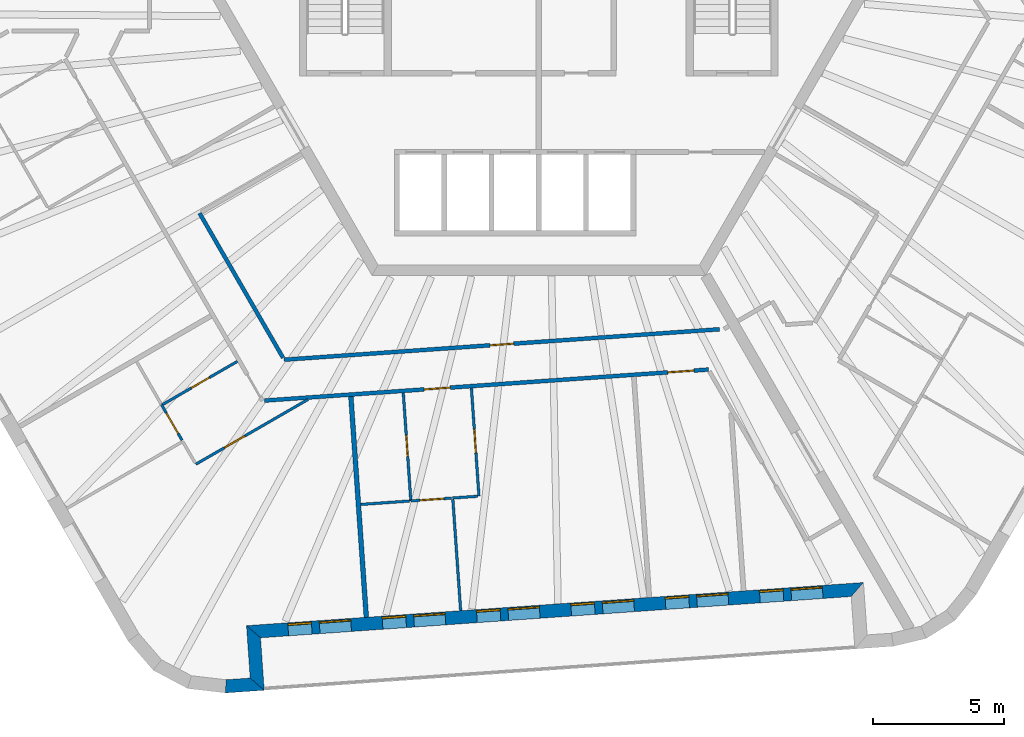
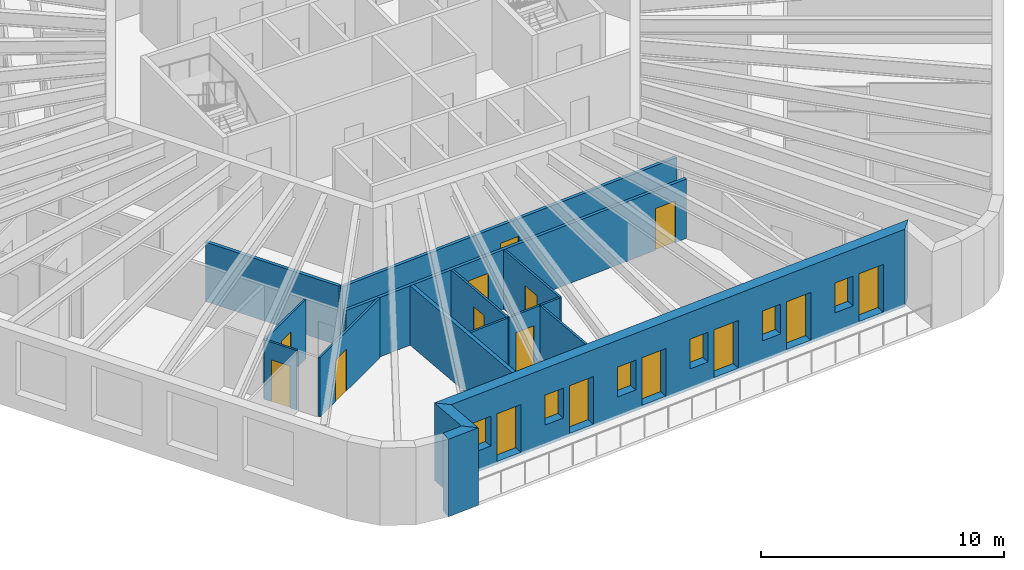
# One storey, part 3 of 12: 16 walls, 15 doors, 6 windows, 21 openings.
"""IFC4 building model written with IfcOpenShell, lengths in metres."""

from ifc_helpers import new_model, si_unit, direction, frame, frame_2d, origin, place, context, subcontext, project, spatial, polyline, rectangle, outline, extrude, material, layer, layer_set, type_object, element, fill, save


model = new_model("IFC4")

# Units and contexts
model_context = context("Model", 3, precision=1e-05, world=origin(), true_north=direction((0.0, 1.0)))
body_context = subcontext(model_context, "Body", "Model", "MODEL_VIEW")
ifc_project = project(units=[si_unit("LENGTHUNIT", "METRE"), si_unit("AREAUNIT", "SQUARE_METRE"), si_unit("VOLUMEUNIT", "CUBIC_METRE"), si_unit("PLANEANGLEUNIT", "RADIAN"), si_unit("MASSUNIT", "GRAM", prefix="KILO")], contexts=[model_context])

# Site, building, storey
site_placement = place(None, origin())
site = spatial("IfcSite", under=ifc_project, at=site_placement, CompositionType="ELEMENT")
building_placement = place(site_placement, origin())
building = spatial("IfcBuilding", under=site, at=building_placement, Name="Tarnside Tower", CompositionType="ELEMENT")
storey_placement = place(building_placement, frame((0.0, 0.0, 306.89990234375)))
storey = spatial("IfcBuildingStorey", under=building, at=storey_placement, Name="L74", CompositionType="ELEMENT", Elevation=306.89990234375)

# Wall, opening, door
ifc_material_1 = material(Name="Gypsum board partition on steel studs", Category="steel")
ifc_layer_1 = layer(ifc_material_1, 0.10009765625)
ifc_layer_set_1 = layer_set([ifc_layer_1], Name="Bathroom wall 100")
wall_type_1 = type_object("IfcWallType", Name="Bathroom wall 100", PredefinedType="PARTITIONING", material=ifc_layer_set_1)
wall_1_placement = place(storey_placement, frame((-11.47509765625, -14.274658203125, 0.0), z_axis=(0.0, 0.0, 1.0), x_axis=(-0.866002163101, -0.500040251884, 0.0)))
wall_1 = element("IfcWall", 1, at=wall_1_placement, inside=storey, type_object=wall_type_1, Name="Bathroom wall 24130", PredefinedType="PARTITIONING", context=body_context, shape_type="SweptSolid", body=[
    extrude(rectangle(XDim=3.324951171875, YDim=0.10009765625, at=frame_2d((1.66259765625, 0.0))), origin(), (0.0, 0.0, 1.0), 2.98779296875),
])
opening_1_placement = place(wall_1_placement, frame((1.22509765625, 0.0, 0.0)))
opening_1 = element("IfcOpeningElement", 2, at=opening_1_placement, cuts=wall_1, Name="Opening D-B1", PredefinedType="OPENING", context=body_context, shape_type="SweptSolid", body=[
    extrude(rectangle(XDim=0.800048828125, YDim=2.10009765625, at=frame_2d((0.39990234375, 1.050048828125))), frame((0.0, 0.06005859375, 0.0), z_axis=(0.0, -1.0, 0.0), x_axis=(1.0, 0.0, 0.0)), (0.0, 0.0, 1.0), 0.1201171875),
])
ifc_material_2 = material(Name="Timber door leaf", Category="wood")
door_type_1 = type_object("IfcDoorType", Name="Bathroom door 800", OperationType="NOTDEFINED", PredefinedType="DOOR", material=ifc_material_2)
door_1_placement = place(opening_1_placement, origin())
door_1 = element("IfcDoor", 3, at=door_1_placement, inside=storey, type_object=door_type_1, Name="Bathroom door 24034", OperationType="SINGLE_SWING_RIGHT", OverallHeight=2.10009765625, OverallWidth=0.800048828125, PredefinedType="DOOR", context=body_context, shape_type="SweptSolid", body=[
    extrude(rectangle(XDim=0.800048828125, YDim=2.10009765625, at=frame_2d((0.39990234375, 1.050048828125))), frame((0.0, 0.02490234375, 0.0), z_axis=(0.0, -1.0, 0.0), x_axis=(1.0, 0.0, 0.0)), (0.0, 0.0, 1.0), 0.050048828125),
])
fill(opening_1, door_1)

wall_2_placement = place(storey_placement, frame((-5.157958984375, -15.472412109375, 0.0), z_axis=(0.0, 0.0, 1.0), x_axis=(0.069779065701, -0.997562470219, 0.0)))
wall_2 = element("IfcWall", 4, at=wall_2_placement, inside=storey, type_object=wall_type_1, Name="Bathroom wall 24137", PredefinedType="PARTITIONING", context=body_context, shape_type="SweptSolid", body=[
    extrude(rectangle(XDim=4.125, YDim=0.10009765625, at=frame_2d((2.0625, 0.0))), origin(), (0.0, 0.0, 1.0), 2.98779296875),
])
opening_2_placement = place(wall_2_placement, frame((1.625, 0.0, 0.0)))
opening_2 = element("IfcOpeningElement", 5, at=opening_2_placement, cuts=wall_2, Name="Opening D-B1", PredefinedType="OPENING", context=body_context, shape_type="SweptSolid", body=[
    extrude(rectangle(XDim=0.800048828125, YDim=2.10009765625, at=frame_2d((0.39990234375, 1.050048828125))), frame((0.0, 0.06005859375, 0.0), z_axis=(0.0, -1.0, 0.0), x_axis=(1.0, 0.0, 0.0)), (0.0, 0.0, 1.0), 0.1201171875),
])
door_2_placement = place(opening_2_placement, origin())
door_2 = element("IfcDoor", 6, at=door_2_placement, inside=storey, type_object=door_type_1, Name="Bathroom door 24038", OperationType="SINGLE_SWING_RIGHT", OverallHeight=2.10009765625, OverallWidth=0.800048828125, PredefinedType="DOOR", context=body_context, shape_type="SweptSolid", body=[
    extrude(rectangle(XDim=0.800048828125, YDim=2.10009765625, at=frame_2d((0.39990234375, 1.050048828125))), frame((0.0, 0.02490234375, 0.0), z_axis=(0.0, -1.0, 0.0), x_axis=(1.0, 0.0, 0.0)), (0.0, 0.0, 1.0), 0.050048828125),
])
fill(opening_2, door_2)

# Wall
wall_3_placement = place(storey_placement, frame((-6.775634765625, -19.720703125, 0.0), z_axis=(0.0, 0.0, 1.0), x_axis=(0.997564079323, 0.069756058123, 0.0)))
element("IfcWall", 7, at=wall_3_placement, inside=storey, type_object=wall_type_1, Name="Bathroom wall 24139", PredefinedType="PARTITIONING", context=body_context, shape_type="SweptSolid", body=[
    extrude(rectangle(XDim=1.862060546875, YDim=0.10009765625, at=frame_2d((0.93115234375, 0.0))), origin(), (0.0, 0.0, 1.0), 2.98779296875),
])

# Wall, openings, doors
ifc_layer_2 = layer(ifc_material_1, 0.14990234375)
ifc_layer_set_2 = layer_set([ifc_layer_2], Name="Corridor wall 150 EI 60")
wall_type_2 = type_object("IfcWallType", Name="Corridor wall 150 EI 60", PredefinedType="PARTITIONING", material=ifc_layer_set_2)
wall_4_placement = place(storey_placement, frame((-10.4404296875, -15.7666015625, 0.0), z_axis=(0.0, 0.0, 1.0), x_axis=(0.997565037323, 0.069742356651, 0.0)))
wall_4 = element("IfcWall", 8, at=wall_4_placement, inside=storey, type_object=wall_type_2, Name="Corridor wall 24034", PredefinedType="PARTITIONING", context=body_context, shape_type="SweptSolid", body=[
    extrude(rectangle(XDim=16.939453125, YDim=0.14990234375, at=frame_2d((8.4697265625, 0.0))), origin(), (0.0, 0.0, 1.0), 2.98779296875),
])
opening_3_placement = place(wall_4_placement, frame((6.090087890625, 0.0, 0.0)))
opening_3 = element("IfcOpeningElement", 9, at=opening_3_placement, cuts=wall_4, Name="Opening D-E1", PredefinedType="OPENING", context=body_context, shape_type="SweptSolid", body=[
    extrude(rectangle(XDim=1.0, YDim=2.10009765625, at=frame_2d((0.5, 1.050048828125))), frame((0.0, 0.0849609375, 0.0), z_axis=(0.0, -1.0, 0.0), x_axis=(1.0, 0.0, 0.0)), (0.0, 0.0, 1.0), 0.169921875),
])
opening_4_placement = place(wall_4_placement, frame((15.39013671875, 0.0, 0.0)))
opening_4 = element("IfcOpeningElement", 10, at=opening_4_placement, cuts=wall_4, Name="Opening D-E1", PredefinedType="OPENING", context=body_context, shape_type="SweptSolid", body=[
    extrude(rectangle(XDim=1.0, YDim=2.10009765625, at=frame_2d((0.5, 1.050048828125))), frame((0.0, 0.0849609375, 0.0), z_axis=(0.0, -1.0, 0.0), x_axis=(1.0, 0.0, 0.0)), (0.0, 0.0, 1.0), 0.169921875),
])
door_type_2 = type_object("IfcDoorType", Name="Unit entrance door 1000 FD30S", OperationType="NOTDEFINED", PredefinedType="DOOR", material=ifc_material_2)
door_3_placement = place(opening_3_placement, origin())
door_3 = element("IfcDoor", 11, at=door_3_placement, inside=storey, type_object=door_type_2, Name="Unit door 24037", OperationType="SINGLE_SWING_LEFT", OverallHeight=2.10009765625, OverallWidth=1.0, PredefinedType="DOOR", context=body_context, shape_type="SweptSolid", body=[
    extrude(rectangle(XDim=1.0, YDim=2.10009765625, at=frame_2d((0.5, 1.050048828125))), frame((0.0, 0.02490234375, 0.0), z_axis=(0.0, -1.0, 0.0), x_axis=(1.0, 0.0, 0.0)), (0.0, 0.0, 1.0), 0.050048828125),
])
fill(opening_3, door_3)
door_4_placement = place(opening_4_placement, origin())
door_4 = element("IfcDoor", 12, at=door_4_placement, inside=storey, type_object=door_type_2, Name="Unit door 24041", OperationType="SINGLE_SWING_LEFT", OverallHeight=2.10009765625, OverallWidth=1.0, PredefinedType="DOOR", context=body_context, shape_type="SweptSolid", body=[
    extrude(rectangle(XDim=1.0, YDim=2.10009765625, at=frame_2d((0.5, 1.050048828125))), frame((0.0, 0.02490234375, 0.0), z_axis=(0.0, -1.0, 0.0), x_axis=(1.0, 0.0, 0.0)), (0.0, 0.0, 1.0), 0.050048828125),
])
fill(opening_4, door_4)

# Wall, opening, door
wall_5_placement = place(storey_placement, frame((6.88427734375, -13.051513671875, 0.0), z_axis=(0.0, 0.0, 1.0), x_axis=(-0.997564224443, -0.069753982764, 0.0)))
wall_5 = element("IfcWall", 13, at=wall_5_placement, inside=storey, type_object=wall_type_2, Name="Corridor wall 24051", PredefinedType="PARTITIONING", context=body_context, shape_type="SweptSolid", body=[
    extrude(rectangle(XDim=16.6181640625, YDim=0.14990234375, at=frame_2d((8.30908203125, 0.0))), origin(), (0.0, 0.0, 1.0), 2.98779296875),
])
opening_5_placement = place(wall_5_placement, frame((7.85888671875, 0.0, 0.0)))
opening_5 = element("IfcOpeningElement", 14, at=opening_5_placement, cuts=wall_5, Name="Opening D-S1", PredefinedType="OPENING", context=body_context, shape_type="SweptSolid", body=[
    extrude(rectangle(XDim=0.89990234375, YDim=2.10009765625, at=frame_2d((0.449951171875, 1.050048828125))), frame((0.0, 0.0849609375, 0.0), z_axis=(0.0, -1.0, 0.0), x_axis=(1.0, 0.0, 0.0)), (0.0, 0.0, 1.0), 0.169921875),
])
door_type_3 = type_object("IfcDoorType", Name="Service room door 900 FD30S", OperationType="NOTDEFINED", PredefinedType="DOOR", material=ifc_material_2)
door_5_placement = place(opening_5_placement, origin())
door_5 = element("IfcDoor", 15, at=door_5_placement, inside=storey, type_object=door_type_3, Name="Service door 24066", OperationType="SINGLE_SWING_RIGHT", OverallHeight=2.10009765625, OverallWidth=0.89990234375, PredefinedType="DOOR", context=body_context, shape_type="SweptSolid", body=[
    extrude(rectangle(XDim=0.89990234375, YDim=2.10009765625, at=frame_2d((0.449951171875, 1.050048828125))), frame((0.0, 0.02490234375, 0.0), z_axis=(0.0, -1.0, 0.0), x_axis=(1.0, 0.0, 0.0)), (0.0, 0.0, 1.0), 0.050048828125),
])
fill(opening_5, door_5)

# Walls
wall_6_placement = place(storey_placement, frame((-9.73486328125, -14.138427734375, 0.0), z_axis=(0.0, 0.0, 1.0), x_axis=(-0.500018385592, 0.866014788598, 0.0)))
element("IfcWall", 16, at=wall_6_placement, inside=storey, type_object=wall_type_2, Name="Corridor wall 24052", PredefinedType="PARTITIONING", context=body_context, shape_type="SweptSolid", body=[
    extrude(rectangle(XDim=6.355712890625, YDim=0.14990234375, at=frame_2d((3.177734375, 0.0))), origin(), (0.0, 0.0, 1.0), 2.98779296875),
])
ifc_layer_3 = layer(ifc_material_1, 0.179931640625)
ifc_layer_set_3 = layer_set([ifc_layer_3], Name="Demising wall 180 EI 60")
wall_type_3 = type_object("IfcWallType", Name="Demising wall 180 EI 60", PredefinedType="PARTITIONING", material=ifc_layer_set_3)
wall_7_placement = place(storey_placement, frame((-6.5654296875, -24.0166015625, 0.0), z_axis=(0.0, 0.0, 1.0), x_axis=(-0.069749826803, 0.997564515037, 0.0)))
element("IfcWall", 17, at=wall_7_placement, inside=storey, type_object=wall_type_3, Name="Demising wall 24128", PredefinedType="PARTITIONING", context=body_context, shape_type="SweptSolid", body=[
    extrude(rectangle(XDim=8.425048828125, YDim=0.179931640625, at=frame_2d((4.21240234375, 0.0))), origin(), (0.0, 0.0, 1.0), 2.98779296875),
])
ifc_material_3 = material(Name="Dark zinc cladding")
ifc_layer_4 = layer(ifc_material_3, 0.10205078125)
ifc_material_4 = material(Name="Concrete C60/75 precast", Category="concrete")
ifc_layer_5 = layer(ifc_material_4, 0.298095703125)
ifc_material_5 = material(Name="Mineral wool insulation")
ifc_layer_6 = layer(ifc_material_5, 0.10009765625)
ifc_layer_set_4 = layer_set([ifc_layer_4, ifc_layer_5, ifc_layer_6], Name="Loggia wall 500 zinc faced")
wall_type_4 = type_object("IfcWallType", Name="Loggia wall 500 zinc faced", PredefinedType="SOLIDWALL", material=ifc_layer_set_4)
wall_8_placement = place(storey_placement, frame((-11.91748046875, -26.646240234375, -0.14990234375), z_axis=(0.0, 0.0, 1.0), x_axis=(0.997562933087, 0.069772448216, 0.0)))
element("IfcWall", 18, at=wall_8_placement, inside=storey, type_object=wall_type_4, Name="Tube wall L74 F4 stub 16", PredefinedType="SOLIDWALL", context=body_context, shape_type="SweptSolid", body=[
    extrude(outline(polyline([(-0.0234375, -0.25), (1.4501953125, -0.25), (0.9501953125, 0.25), (0.0234375, 0.25), (-0.0234375, -0.25)])), origin(), (0.0, 0.0, 1.0), 3.89990234375),
])
wall_9_placement = place(storey_placement, frame((-10.72021484375, -26.5625, -0.14990234375), z_axis=(0.0, 0.0, 1.0), x_axis=(-0.069824268692, 0.99755930726, 0.0)))
element("IfcWall", 19, at=wall_9_placement, inside=storey, type_object=wall_type_4, Name="Tube wall L74 F4 return 17", PredefinedType="SOLIDWALL", context=body_context, shape_type="SweptSolid", body=[
    extrude(outline(polyline([(-0.25, -0.25), (1.75, -0.25), (2.25, 0.25), (0.25, 0.25), (-0.25, -0.25)])), origin(), (0.0, 0.0, 1.0), 3.89990234375),
])

# Wall, openings, doors, windows
wall_10_placement = place(storey_placement, frame((-10.85986328125, -24.5673828125, -0.14990234375), z_axis=(0.0, 0.0, 1.0), x_axis=(0.997564329317, 0.06975248292, 0.0)))
wall_10 = element("IfcWall", 20, at=wall_10_placement, inside=storey, type_object=wall_type_4, Name="Tube wall L74 F4 back 18", PredefinedType="SOLIDWALL", context=body_context, shape_type="SweptSolid", body=[
    extrude(outline(polyline([(0.25, -0.25), (22.794677734375, -0.25), (23.294677734375, 0.25), (-0.25, 0.25), (0.25, -0.25)])), origin(), (0.0, 0.0, 1.0), 3.89990234375),
])
opening_6_placement = place(wall_10_placement, frame((1.322509765625, 0.0, 1.050048828125)))
opening_6 = element("IfcOpeningElement", 21, at=opening_6_placement, cuts=wall_10, Name="Opening WL500", PredefinedType="OPENING", context=body_context, shape_type="SweptSolid", body=[
    extrude(rectangle(XDim=0.89990234375, YDim=1.5, at=frame_2d((0.449951171875, 0.75))), frame((0.0, 0.260009765625, 0.0), z_axis=(0.0, -1.0, 0.0), x_axis=(1.0, 0.0, 0.0)), (0.0, 0.0, 1.0), 0.52001953125),
])
opening_7_placement = place(wall_10_placement, frame((2.5224609375, 0.0, 0.14990234375)))
opening_7 = element("IfcOpeningElement", 22, at=opening_7_placement, cuts=wall_10, Name="Opening DB500", PredefinedType="OPENING", context=body_context, shape_type="SweptSolid", body=[
    extrude(rectangle(XDim=1.199951171875, YDim=2.39990234375, at=frame_2d((0.60009765625, 1.199951171875))), frame((0.0, 0.260009765625, 0.0), z_axis=(0.0, -1.0, 0.0), x_axis=(1.0, 0.0, 0.0)), (0.0, 0.0, 1.0), 0.52001953125),
])
opening_8_placement = place(wall_10_placement, frame((4.92236328125, 0.0, 1.050048828125)))
opening_8 = element("IfcOpeningElement", 23, at=opening_8_placement, cuts=wall_10, Name="Opening WL500", PredefinedType="OPENING", context=body_context, shape_type="SweptSolid", body=[
    extrude(rectangle(XDim=0.89990234375, YDim=1.5, at=frame_2d((0.449951171875, 0.75))), frame((0.0, 0.260009765625, 0.0), z_axis=(0.0, -1.0, 0.0), x_axis=(1.0, 0.0, 0.0)), (0.0, 0.0, 1.0), 0.52001953125),
])
opening_9_placement = place(wall_10_placement, frame((6.122314453125, 0.0, 0.14990234375)))
opening_9 = element("IfcOpeningElement", 24, at=opening_9_placement, cuts=wall_10, Name="Opening DB500", PredefinedType="OPENING", context=body_context, shape_type="SweptSolid", body=[
    extrude(rectangle(XDim=1.199951171875, YDim=2.39990234375, at=frame_2d((0.60009765625, 1.199951171875))), frame((0.0, 0.260009765625, 0.0), z_axis=(0.0, -1.0, 0.0), x_axis=(1.0, 0.0, 0.0)), (0.0, 0.0, 1.0), 0.52001953125),
])
opening_10_placement = place(wall_10_placement, frame((8.5224609375, 0.0, 1.050048828125)))
opening_10 = element("IfcOpeningElement", 25, at=opening_10_placement, cuts=wall_10, Name="Opening WL500", PredefinedType="OPENING", context=body_context, shape_type="SweptSolid", body=[
    extrude(rectangle(XDim=0.89990234375, YDim=1.5, at=frame_2d((0.449951171875, 0.75))), frame((0.0, 0.260009765625, 0.0), z_axis=(0.0, -1.0, 0.0), x_axis=(1.0, 0.0, 0.0)), (0.0, 0.0, 1.0), 0.52001953125),
])
opening_11_placement = place(wall_10_placement, frame((9.722412109375, 0.0, 0.14990234375)))
opening_11 = element("IfcOpeningElement", 26, at=opening_11_placement, cuts=wall_10, Name="Opening DB500", PredefinedType="OPENING", context=body_context, shape_type="SweptSolid", body=[
    extrude(rectangle(XDim=1.199951171875, YDim=2.39990234375, at=frame_2d((0.60009765625, 1.199951171875))), frame((0.0, 0.260009765625, 0.0), z_axis=(0.0, -1.0, 0.0), x_axis=(1.0, 0.0, 0.0)), (0.0, 0.0, 1.0), 0.52001953125),
])
opening_12_placement = place(wall_10_placement, frame((12.122314453125, 0.0, 1.050048828125)))
opening_12 = element("IfcOpeningElement", 27, at=opening_12_placement, cuts=wall_10, Name="Opening WL500", PredefinedType="OPENING", context=body_context, shape_type="SweptSolid", body=[
    extrude(rectangle(XDim=0.89990234375, YDim=1.5, at=frame_2d((0.449951171875, 0.75))), frame((0.0, 0.260009765625, 0.0), z_axis=(0.0, -1.0, 0.0), x_axis=(1.0, 0.0, 0.0)), (0.0, 0.0, 1.0), 0.52001953125),
])
opening_13_placement = place(wall_10_placement, frame((13.322509765625, 0.0, 0.14990234375)))
opening_13 = element("IfcOpeningElement", 28, at=opening_13_placement, cuts=wall_10, Name="Opening DB500", PredefinedType="OPENING", context=body_context, shape_type="SweptSolid", body=[
    extrude(rectangle(XDim=1.199951171875, YDim=2.39990234375, at=frame_2d((0.60009765625, 1.199951171875))), frame((0.0, 0.260009765625, 0.0), z_axis=(0.0, -1.0, 0.0), x_axis=(1.0, 0.0, 0.0)), (0.0, 0.0, 1.0), 0.52001953125),
])
opening_14_placement = place(wall_10_placement, frame((15.722412109375, 0.0, 1.050048828125)))
opening_14 = element("IfcOpeningElement", 29, at=opening_14_placement, cuts=wall_10, Name="Opening WL500", PredefinedType="OPENING", context=body_context, shape_type="SweptSolid", body=[
    extrude(rectangle(XDim=0.89990234375, YDim=1.5, at=frame_2d((0.449951171875, 0.75))), frame((0.0, 0.260009765625, 0.0), z_axis=(0.0, -1.0, 0.0), x_axis=(1.0, 0.0, 0.0)), (0.0, 0.0, 1.0), 0.52001953125),
])
opening_15_placement = place(wall_10_placement, frame((16.92236328125, 0.0, 0.14990234375)))
opening_15 = element("IfcOpeningElement", 30, at=opening_15_placement, cuts=wall_10, Name="Opening DB500", PredefinedType="OPENING", context=body_context, shape_type="SweptSolid", body=[
    extrude(rectangle(XDim=1.199951171875, YDim=2.39990234375, at=frame_2d((0.60009765625, 1.199951171875))), frame((0.0, 0.260009765625, 0.0), z_axis=(0.0, -1.0, 0.0), x_axis=(1.0, 0.0, 0.0)), (0.0, 0.0, 1.0), 0.52001953125),
])
opening_16_placement = place(wall_10_placement, frame((19.322509765625, 0.0, 1.050048828125)))
opening_16 = element("IfcOpeningElement", 31, at=opening_16_placement, cuts=wall_10, Name="Opening WL500", PredefinedType="OPENING", context=body_context, shape_type="SweptSolid", body=[
    extrude(rectangle(XDim=0.89990234375, YDim=1.5, at=frame_2d((0.449951171875, 0.75))), frame((0.0, 0.260009765625, 0.0), z_axis=(0.0, -1.0, 0.0), x_axis=(1.0, 0.0, 0.0)), (0.0, 0.0, 1.0), 0.52001953125),
])
opening_17_placement = place(wall_10_placement, frame((20.5224609375, 0.0, 0.14990234375)))
opening_17 = element("IfcOpeningElement", 32, at=opening_17_placement, cuts=wall_10, Name="Opening DB500", PredefinedType="OPENING", context=body_context, shape_type="SweptSolid", body=[
    extrude(rectangle(XDim=1.199951171875, YDim=2.39990234375, at=frame_2d((0.60009765625, 1.199951171875))), frame((0.0, 0.260009765625, 0.0), z_axis=(0.0, -1.0, 0.0), x_axis=(1.0, 0.0, 0.0)), (0.0, 0.0, 1.0), 0.52001953125),
])
ifc_material_6 = material(Name="Aluminium-framed double glazing", Category="aluminium")
door_type_4 = type_object("IfcDoorType", Name="Balcony sliding door 1200 x 2400 in 500 wall", OperationType="SLIDING_TO_LEFT", PredefinedType="DOOR", material=ifc_material_6)
door_6_placement = place(opening_7_placement, frame((0.0, 0.1748046875, 0.0)))
door_6 = element("IfcDoor", 33, at=door_6_placement, inside=storey, type_object=door_type_4, Name="E.BD.L74.F4.00", OperationType="SLIDING_TO_LEFT", OverallHeight=2.39990234375, OverallWidth=1.199951171875, PredefinedType="DOOR", context=body_context, shape_type="SweptSolid", body=[
    extrude(rectangle(XDim=1.199951171875, YDim=2.39990234375, at=frame_2d((0.60009765625, 1.199951171875))), frame((0.0, 0.02490234375, 0.0), z_axis=(0.0, -1.0, 0.0), x_axis=(1.0, 0.0, 0.0)), (0.0, 0.0, 1.0), 0.050048828125),
])
fill(opening_7, door_6)
door_7_placement = place(opening_9_placement, frame((0.0, 0.1748046875, 0.0)))
door_7 = element("IfcDoor", 34, at=door_7_placement, inside=storey, type_object=door_type_4, Name="E.BD.L74.F4.01", OperationType="SLIDING_TO_LEFT", OverallHeight=2.39990234375, OverallWidth=1.199951171875, PredefinedType="DOOR", context=body_context, shape_type="SweptSolid", body=[
    extrude(rectangle(XDim=1.199951171875, YDim=2.39990234375, at=frame_2d((0.60009765625, 1.199951171875))), frame((0.0, 0.02490234375, 0.0), z_axis=(0.0, -1.0, 0.0), x_axis=(1.0, 0.0, 0.0)), (0.0, 0.0, 1.0), 0.050048828125),
])
fill(opening_9, door_7)
door_8_placement = place(opening_11_placement, frame((0.0, 0.1748046875, 0.0)))
door_8 = element("IfcDoor", 35, at=door_8_placement, inside=storey, type_object=door_type_4, Name="E.BD.L74.F4.02", OperationType="SLIDING_TO_LEFT", OverallHeight=2.39990234375, OverallWidth=1.199951171875, PredefinedType="DOOR", context=body_context, shape_type="SweptSolid", body=[
    extrude(rectangle(XDim=1.199951171875, YDim=2.39990234375, at=frame_2d((0.60009765625, 1.199951171875))), frame((0.0, 0.02490234375, 0.0), z_axis=(0.0, -1.0, 0.0), x_axis=(1.0, 0.0, 0.0)), (0.0, 0.0, 1.0), 0.050048828125),
])
fill(opening_11, door_8)
door_9_placement = place(opening_13_placement, frame((0.0, 0.1748046875, 0.0)))
door_9 = element("IfcDoor", 36, at=door_9_placement, inside=storey, type_object=door_type_4, Name="E.BD.L74.F4.03", OperationType="SLIDING_TO_LEFT", OverallHeight=2.39990234375, OverallWidth=1.199951171875, PredefinedType="DOOR", context=body_context, shape_type="SweptSolid", body=[
    extrude(rectangle(XDim=1.199951171875, YDim=2.39990234375, at=frame_2d((0.60009765625, 1.199951171875))), frame((0.0, 0.02490234375, 0.0), z_axis=(0.0, -1.0, 0.0), x_axis=(1.0, 0.0, 0.0)), (0.0, 0.0, 1.0), 0.050048828125),
])
fill(opening_13, door_9)
door_10_placement = place(opening_15_placement, frame((0.0, 0.1748046875, 0.0)))
door_10 = element("IfcDoor", 37, at=door_10_placement, inside=storey, type_object=door_type_4, Name="E.BD.L74.F4.04", OperationType="SLIDING_TO_LEFT", OverallHeight=2.39990234375, OverallWidth=1.199951171875, PredefinedType="DOOR", context=body_context, shape_type="SweptSolid", body=[
    extrude(rectangle(XDim=1.199951171875, YDim=2.39990234375, at=frame_2d((0.60009765625, 1.199951171875))), frame((0.0, 0.02490234375, 0.0), z_axis=(0.0, -1.0, 0.0), x_axis=(1.0, 0.0, 0.0)), (0.0, 0.0, 1.0), 0.050048828125),
])
fill(opening_15, door_10)
door_11_placement = place(opening_17_placement, frame((0.0, 0.1748046875, 0.0)))
door_11 = element("IfcDoor", 38, at=door_11_placement, inside=storey, type_object=door_type_4, Name="E.BD.L74.F4.05", OperationType="SLIDING_TO_LEFT", OverallHeight=2.39990234375, OverallWidth=1.199951171875, PredefinedType="DOOR", context=body_context, shape_type="SweptSolid", body=[
    extrude(rectangle(XDim=1.199951171875, YDim=2.39990234375, at=frame_2d((0.60009765625, 1.199951171875))), frame((0.0, 0.02490234375, 0.0), z_axis=(0.0, -1.0, 0.0), x_axis=(1.0, 0.0, 0.0)), (0.0, 0.0, 1.0), 0.050048828125),
])
fill(opening_17, door_11)
window_type = type_object("IfcWindowType", Name="Loggia window 900 x 1500 in 500 wall", PartitioningType="SINGLE_PANEL", PredefinedType="WINDOW", material=ifc_material_6)
window_1_placement = place(opening_6_placement, frame((0.0, 0.179931640625, 0.0)))
window_1 = element("IfcWindow", 39, at=window_1_placement, inside=storey, type_object=window_type, Name="E.LW.L74.F4.00", OverallHeight=1.5, OverallWidth=0.89990234375, PartitioningType="SINGLE_PANEL", PredefinedType="WINDOW", context=body_context, shape_type="SweptSolid", body=[
    extrude(rectangle(XDim=0.89990234375, YDim=1.5, at=frame_2d((0.449951171875, 0.75))), frame((0.0, 0.030029296875, 0.0), z_axis=(0.0, -1.0, 0.0), x_axis=(1.0, 0.0, 0.0)), (0.0, 0.0, 1.0), 0.06005859375),
])
fill(opening_6, window_1)
window_2_placement = place(opening_8_placement, frame((0.0, 0.179931640625, 0.0)))
window_2 = element("IfcWindow", 40, at=window_2_placement, inside=storey, type_object=window_type, Name="E.LW.L74.F4.01", OverallHeight=1.5, OverallWidth=0.89990234375, PartitioningType="SINGLE_PANEL", PredefinedType="WINDOW", context=body_context, shape_type="SweptSolid", body=[
    extrude(rectangle(XDim=0.89990234375, YDim=1.5, at=frame_2d((0.449951171875, 0.75))), frame((0.0, 0.030029296875, 0.0), z_axis=(0.0, -1.0, 0.0), x_axis=(1.0, 0.0, 0.0)), (0.0, 0.0, 1.0), 0.06005859375),
])
fill(opening_8, window_2)
window_3_placement = place(opening_10_placement, frame((0.0, 0.179931640625, 0.0)))
window_3 = element("IfcWindow", 41, at=window_3_placement, inside=storey, type_object=window_type, Name="E.LW.L74.F4.02", OverallHeight=1.5, OverallWidth=0.89990234375, PartitioningType="SINGLE_PANEL", PredefinedType="WINDOW", context=body_context, shape_type="SweptSolid", body=[
    extrude(rectangle(XDim=0.89990234375, YDim=1.5, at=frame_2d((0.449951171875, 0.75))), frame((0.0, 0.030029296875, 0.0), z_axis=(0.0, -1.0, 0.0), x_axis=(1.0, 0.0, 0.0)), (0.0, 0.0, 1.0), 0.06005859375),
])
fill(opening_10, window_3)
window_4_placement = place(opening_12_placement, frame((0.0, 0.179931640625, 0.0)))
window_4 = element("IfcWindow", 42, at=window_4_placement, inside=storey, type_object=window_type, Name="E.LW.L74.F4.03", OverallHeight=1.5, OverallWidth=0.89990234375, PartitioningType="SINGLE_PANEL", PredefinedType="WINDOW", context=body_context, shape_type="SweptSolid", body=[
    extrude(rectangle(XDim=0.89990234375, YDim=1.5, at=frame_2d((0.449951171875, 0.75))), frame((0.0, 0.030029296875, 0.0), z_axis=(0.0, -1.0, 0.0), x_axis=(1.0, 0.0, 0.0)), (0.0, 0.0, 1.0), 0.06005859375),
])
fill(opening_12, window_4)
window_5_placement = place(opening_14_placement, frame((0.0, 0.179931640625, 0.0)))
window_5 = element("IfcWindow", 43, at=window_5_placement, inside=storey, type_object=window_type, Name="E.LW.L74.F4.04", OverallHeight=1.5, OverallWidth=0.89990234375, PartitioningType="SINGLE_PANEL", PredefinedType="WINDOW", context=body_context, shape_type="SweptSolid", body=[
    extrude(rectangle(XDim=0.89990234375, YDim=1.5, at=frame_2d((0.449951171875, 0.75))), frame((0.0, 0.030029296875, 0.0), z_axis=(0.0, -1.0, 0.0), x_axis=(1.0, 0.0, 0.0)), (0.0, 0.0, 1.0), 0.06005859375),
])
fill(opening_14, window_5)
window_6_placement = place(opening_16_placement, frame((0.0, 0.179931640625, 0.0)))
window_6 = element("IfcWindow", 44, at=window_6_placement, inside=storey, type_object=window_type, Name="E.LW.L74.F4.05", OverallHeight=1.5, OverallWidth=0.89990234375, PartitioningType="SINGLE_PANEL", PredefinedType="WINDOW", context=body_context, shape_type="SweptSolid", body=[
    extrude(rectangle(XDim=0.89990234375, YDim=1.5, at=frame_2d((0.449951171875, 0.75))), frame((0.0, 0.030029296875, 0.0), z_axis=(0.0, -1.0, 0.0), x_axis=(1.0, 0.0, 0.0)), (0.0, 0.0, 1.0), 0.06005859375),
])
fill(opening_16, window_6)

# Wall, opening, door
ifc_layer_7 = layer(ifc_material_1, 0.10009765625)
ifc_layer_set_5 = layer_set([ifc_layer_7], Name="Partition 100")
wall_type_5 = type_object("IfcWallType", Name="Partition 100", PredefinedType="PARTITIONING", material=ifc_layer_set_5)
wall_11_placement = place(storey_placement, frame((-8.789306640625, -15.726318359375, 0.0), z_axis=(0.0, 0.0, 1.0), x_axis=(-0.866010575439, -0.500025682568, 0.0)))
wall_11 = element("IfcWall", 45, at=wall_11_placement, inside=storey, type_object=wall_type_5, Name="Partition wall 24125", PredefinedType="PARTITIONING", context=body_context, shape_type="SweptSolid", body=[
    extrude(rectangle(XDim=4.925048828125, YDim=0.10009765625, at=frame_2d((2.46240234375, 0.0))), origin(), (0.0, 0.0, 1.0), 2.98779296875),
])
opening_18_placement = place(wall_11_placement, frame((2.77490234375, 0.0, 0.0)))
opening_18 = element("IfcOpeningElement", 46, at=opening_18_placement, cuts=wall_11, Name="Opening D-I1", PredefinedType="OPENING", context=body_context, shape_type="SweptSolid", body=[
    extrude(rectangle(XDim=0.89990234375, YDim=2.10009765625, at=frame_2d((0.449951171875, 1.050048828125))), frame((0.0, 0.06005859375, 0.0), z_axis=(0.0, -1.0, 0.0), x_axis=(1.0, 0.0, 0.0)), (0.0, 0.0, 1.0), 0.1201171875),
])
door_type_5 = type_object("IfcDoorType", Name="Internal door 900", OperationType="NOTDEFINED", PredefinedType="DOOR", material=ifc_material_2)
door_12_placement = place(opening_18_placement, origin())
door_12 = element("IfcDoor", 47, at=door_12_placement, inside=storey, type_object=door_type_5, Name="Internal door 24035", OperationType="SINGLE_SWING_LEFT", OverallHeight=2.10009765625, OverallWidth=0.89990234375, PredefinedType="DOOR", context=body_context, shape_type="SweptSolid", body=[
    extrude(rectangle(XDim=0.89990234375, YDim=2.10009765625, at=frame_2d((0.449951171875, 1.050048828125))), frame((0.0, 0.02490234375, 0.0), z_axis=(0.0, -1.0, 0.0), x_axis=(1.0, 0.0, 0.0)), (0.0, 0.0, 1.0), 0.050048828125),
])
fill(opening_18, door_12)

wall_12_placement = place(storey_placement, frame((-14.35546875, -15.935546875, 0.0), z_axis=(0.0, 0.0, 1.0), x_axis=(0.499963041308, -0.866046740844, 0.0)))
wall_12 = element("IfcWall", 48, at=wall_12_placement, inside=storey, type_object=wall_type_5, Name="Partition wall 24131", PredefinedType="PARTITIONING", context=body_context, shape_type="SweptSolid", body=[
    extrude(rectangle(XDim=1.5517578125, YDim=0.10009765625, at=frame_2d((0.77587890625, 0.0))), origin(), (0.0, 0.0, 1.0), 2.98779296875),
])
opening_19_placement = place(wall_12_placement, frame((0.35205078125, 0.0, 0.0)))
opening_19 = element("IfcOpeningElement", 49, at=opening_19_placement, cuts=wall_12, Name="Opening D-I1", PredefinedType="OPENING", context=body_context, shape_type="SweptSolid", body=[
    extrude(rectangle(XDim=0.89990234375, YDim=2.10009765625, at=frame_2d((0.449951171875, 1.050048828125))), frame((0.0, 0.06005859375, 0.0), z_axis=(0.0, -1.0, 0.0), x_axis=(1.0, 0.0, 0.0)), (0.0, 0.0, 1.0), 0.1201171875),
])
door_13_placement = place(opening_19_placement, origin())
door_13 = element("IfcDoor", 50, at=door_13_placement, inside=storey, type_object=door_type_5, Name="Internal door 24036", OperationType="SINGLE_SWING_LEFT", OverallHeight=2.10009765625, OverallWidth=0.89990234375, PredefinedType="DOOR", context=body_context, shape_type="SweptSolid", body=[
    extrude(rectangle(XDim=0.89990234375, YDim=2.10009765625, at=frame_2d((0.449951171875, 1.050048828125))), frame((0.0, 0.02490234375, 0.0), z_axis=(0.0, -1.0, 0.0), x_axis=(1.0, 0.0, 0.0)), (0.0, 0.0, 1.0), 0.050048828125),
])
fill(opening_19, door_13)

wall_13_placement = place(storey_placement, frame((-2.564208984375, -15.291015625, 0.0), z_axis=(0.0, 0.0, 1.0), x_axis=(0.069720168556, -0.997566588302, 0.0)))
wall_13 = element("IfcWall", 51, at=wall_13_placement, inside=storey, type_object=wall_type_5, Name="Partition wall 24133", PredefinedType="PARTITIONING", context=body_context, shape_type="SweptSolid", body=[
    extrude(rectangle(XDim=4.125, YDim=0.10009765625, at=frame_2d((2.0625, 0.0))), origin(), (0.0, 0.0, 1.0), 2.98779296875),
])
opening_20_placement = place(wall_13_placement, frame((1.574951171875, 0.0, 0.0)))
opening_20 = element("IfcOpeningElement", 52, at=opening_20_placement, cuts=wall_13, Name="Opening D-I1", PredefinedType="OPENING", context=body_context, shape_type="SweptSolid", body=[
    extrude(rectangle(XDim=0.89990234375, YDim=2.10009765625, at=frame_2d((0.449951171875, 1.050048828125))), frame((0.0, 0.06005859375, 0.0), z_axis=(0.0, -1.0, 0.0), x_axis=(1.0, 0.0, 0.0)), (0.0, 0.0, 1.0), 0.1201171875),
])
door_14_placement = place(opening_20_placement, origin())
door_14 = element("IfcDoor", 53, at=door_14_placement, inside=storey, type_object=door_type_5, Name="Internal door 24039", OperationType="SINGLE_SWING_RIGHT", OverallHeight=2.10009765625, OverallWidth=0.89990234375, PredefinedType="DOOR", context=body_context, shape_type="SweptSolid", body=[
    extrude(rectangle(XDim=0.89990234375, YDim=2.10009765625, at=frame_2d((0.449951171875, 1.050048828125))), frame((0.0, 0.02490234375, 0.0), z_axis=(0.0, -1.0, 0.0), x_axis=(1.0, 0.0, 0.0)), (0.0, 0.0, 1.0), 0.050048828125),
])
fill(opening_20, door_14)

# Walls
wall_14_placement = place(storey_placement, frame((-2.326416015625, -19.40966796875, 0.0), z_axis=(0.0, 0.0, 1.0), x_axis=(-0.997564323253, -0.069752569646, 0.0)))
element("IfcWall", 54, at=wall_14_placement, inside=storey, type_object=wall_type_5, Name="Partition wall 24134", PredefinedType="PARTITIONING", context=body_context, shape_type="SweptSolid", body=[
    extrude(rectangle(XDim=0.951904296875, YDim=0.10009765625, at=frame_2d((0.47607421875, 0.0))), origin(), (0.0, 0.0, 1.0), 2.98779296875),
])
wall_15_placement = place(storey_placement, frame((-3.270751953125, -19.525634765625, 0.0), z_axis=(0.0, 0.0, 1.0), x_axis=(0.069793686433, -0.997561447398, 0.0)))
element("IfcWall", 55, at=wall_15_placement, inside=storey, type_object=wall_type_5, Name="Partition wall 24135", PredefinedType="PARTITIONING", context=body_context, shape_type="SweptSolid", body=[
    extrude(rectangle(XDim=4.25, YDim=0.10009765625, at=frame_2d((2.125, 0.0))), origin(), (0.0, 0.0, 1.0), 2.98779296875),
])

# Wall, opening, door
wall_16_placement = place(storey_placement, frame((-4.872314453125, -19.587646484375, 0.0), z_axis=(0.0, 0.0, 1.0), x_axis=(0.997558309684, 0.069838519316, 0.0)))
wall_16 = element("IfcWall", 56, at=wall_16_placement, inside=storey, type_object=wall_type_5, Name="Partition wall 24138", PredefinedType="PARTITIONING", context=body_context, shape_type="SweptSolid", body=[
    extrude(rectangle(XDim=1.55224609375, YDim=0.10009765625, at=frame_2d((0.776123046875, 0.0))), origin(), (0.0, 0.0, 1.0), 2.98779296875),
])
opening_21_placement = place(wall_16_placement, frame((0.35205078125, 0.0, 0.0)))
opening_21 = element("IfcOpeningElement", 57, at=opening_21_placement, cuts=wall_16, Name="Opening D-I1", PredefinedType="OPENING", context=body_context, shape_type="SweptSolid", body=[
    extrude(rectangle(XDim=0.89990234375, YDim=2.10009765625, at=frame_2d((0.449951171875, 1.050048828125))), frame((0.0, 0.06005859375, 0.0), z_axis=(0.0, -1.0, 0.0), x_axis=(1.0, 0.0, 0.0)), (0.0, 0.0, 1.0), 0.1201171875),
])
door_15_placement = place(opening_21_placement, origin())
door_15 = element("IfcDoor", 58, at=door_15_placement, inside=storey, type_object=door_type_5, Name="Internal door 24040", OperationType="SINGLE_SWING_LEFT", OverallHeight=2.10009765625, OverallWidth=0.89990234375, PredefinedType="DOOR", context=body_context, shape_type="SweptSolid", body=[
    extrude(rectangle(XDim=0.89990234375, YDim=2.10009765625, at=frame_2d((0.449951171875, 1.050048828125))), frame((0.0, 0.02490234375, 0.0), z_axis=(0.0, -1.0, 0.0), x_axis=(1.0, 0.0, 0.0)), (0.0, 0.0, 1.0), 0.050048828125),
])
fill(opening_21, door_15)

save(model, "model.ifc")
